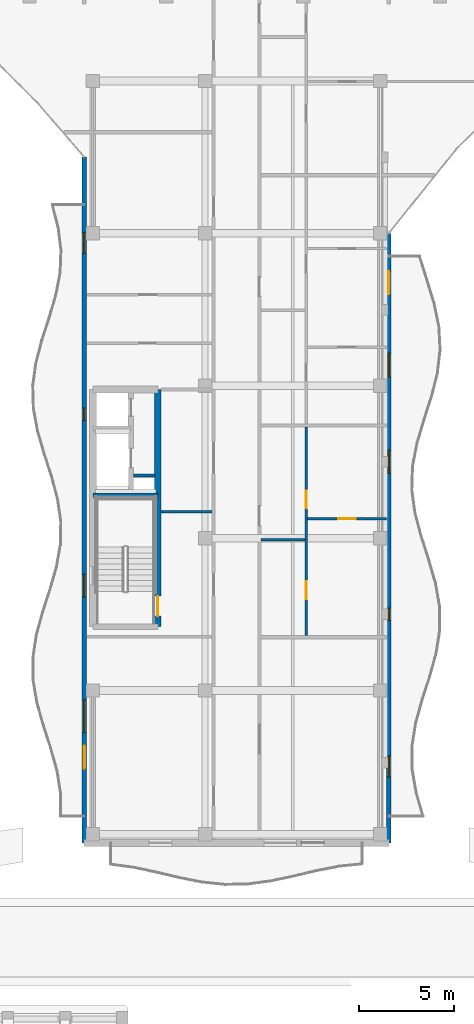
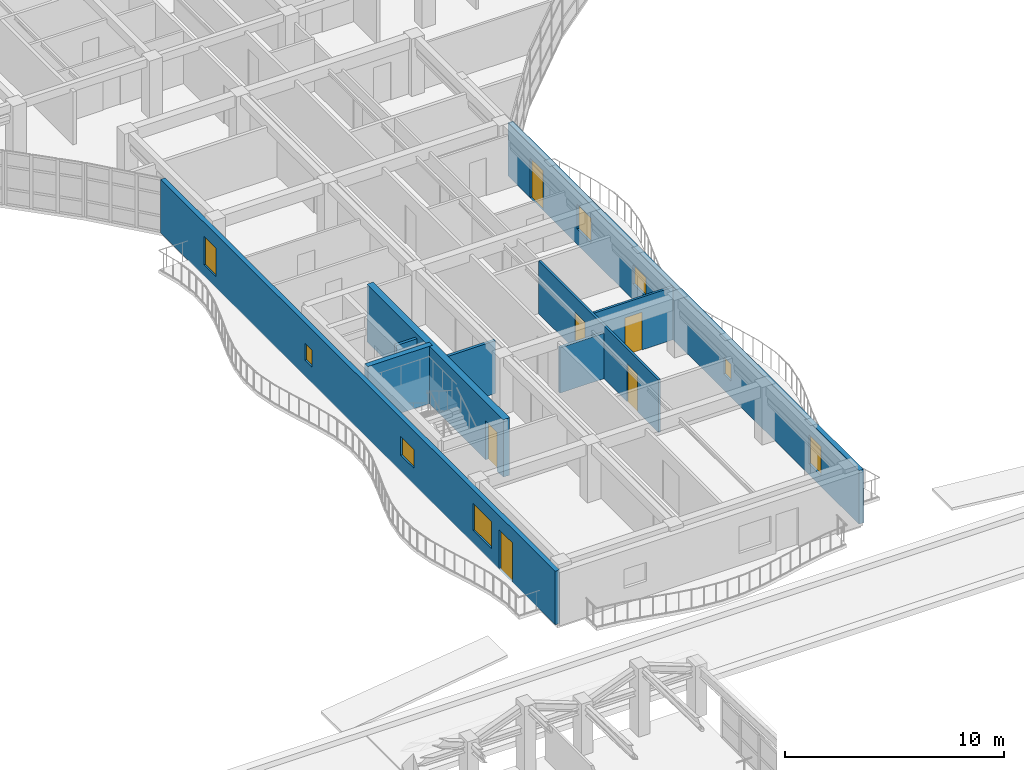
# One storey, part 85 of 128: 9 walls, 8 windows, 6 doors, 14 openings.
"""IFC4 building model written with IfcOpenShell, lengths in metres."""

from ifc_helpers import new_model, si_unit, direction, frame, frame_2d, origin, place, context, subcontext, project, spatial, rectangle, extrude, material, layer, layer_set, type_object, element, fill, save


model = new_model("IFC4")

# Units and contexts
model_context = context("Model", 3, precision=1e-05, world=origin(), true_north=direction((0.0, 1.0)))
body_context = subcontext(model_context, "Body", "Model", "MODEL_VIEW")
ifc_project = project(units=[si_unit("LENGTHUNIT", "METRE"), si_unit("AREAUNIT", "SQUARE_METRE"), si_unit("VOLUMEUNIT", "CUBIC_METRE"), si_unit("PLANEANGLEUNIT", "RADIAN"), si_unit("MASSUNIT", "GRAM", prefix="KILO")], contexts=[model_context])

# Site, building, storey
site_placement = place(None, origin())
site = spatial("IfcSite", under=ifc_project, at=site_placement, CompositionType="ELEMENT")
building_placement = place(site_placement, origin())
building = spatial("IfcBuilding", under=site, at=building_placement, Name="Keldmere Railside Commons", CompositionType="ELEMENT")
storey_placement = place(building_placement, frame((0.0, 0.0, 4.159912109375)))
storey = spatial("IfcBuildingStorey", under=building, at=storey_placement, Name="L01", CompositionType="ELEMENT", Elevation=4.159912109375)

# Wall, openings, doors
ifc_material_1 = material(Name="Acoustic Gypsum Board Partition", Category="gypsum")
ifc_layer_1 = layer(ifc_material_1, 0.1201171875, Name="Apartment Interior Partition 120")
ifc_layer_set_1 = layer_set([ifc_layer_1], Name="Acoustic Gypsum Board Partition")
wall_type_1 = type_object("IfcWallType", Name="Apartment Interior Partition 120", PredefinedType="PARTITIONING", material=ifc_layer_set_1)
wall_1_placement = place(storey_placement, frame((115.659912109375, 66.8798828125, 0.0), z_axis=(0.0, 0.0, 1.0), x_axis=(0.0, 1.0, 0.0)))
wall_1 = element("IfcWall", 1, at=wall_1_placement, inside=storey, type_object=wall_type_1, Name="IW-4 IW-L01-0932", PredefinedType="PARTITIONING", context=body_context, shape_type="SweptSolid", body=[
    extrude(rectangle(XDim=10.940185546875, YDim=0.1201171875, at=frame_2d((5.47021484375, 0.0))), origin(), (0.0, 0.0, 1.0), 2.93505859375),
])
opening_1_placement = place(wall_1_placement, frame((1.911376953125, 0.0, 0.0)))
opening_1 = element("IfcOpeningElement", 2, at=opening_1_placement, cuts=wall_1, Name="Opening ID-05", PredefinedType="OPENING", context=body_context, shape_type="SweptSolid", body=[
    extrude(rectangle(XDim=0.93994140625, YDim=2.10009765625, at=frame_2d((0.469970703125, 1.050048828125))), frame((0.0, 0.070068359375, 0.0), z_axis=(0.0, -1.0, 0.0), x_axis=(1.0, 0.0, 0.0)), (0.0, 0.0, 1.0), 0.14013671875),
])
opening_2_placement = place(wall_1_placement, frame((6.684814453125, 0.0, 0.0)))
opening_2 = element("IfcOpeningElement", 3, at=opening_2_placement, cuts=wall_1, Name="Opening ID-03", PredefinedType="OPENING", context=body_context, shape_type="SweptSolid", body=[
    extrude(rectangle(XDim=0.919921875, YDim=2.10009765625, at=frame_2d((0.4599609375, 1.050048828125))), frame((0.0, 0.070068359375, 0.0), z_axis=(0.0, -1.0, 0.0), x_axis=(1.0, 0.0, 0.0)), (0.0, 0.0, 1.0), 0.14013671875),
])
ifc_material_2 = material(Name="Engineered Oak Timber", Category="wood")
door_type_1 = type_object("IfcDoorType", Name="Accessible Bathroom Door 940x2100", OperationType="NOTDEFINED", PredefinedType="DOOR", material=ifc_material_2)
door_1_placement = place(opening_1_placement, origin())
door_1 = element("IfcDoor", 4, at=door_1_placement, inside=storey, type_object=door_type_1, Name="ID-05 IDR-L01-0800", OperationType="SINGLE_SWING_RIGHT", OverallHeight=2.10009765625, OverallWidth=0.93994140625, PredefinedType="DOOR", context=body_context, shape_type="SweptSolid", body=[
    extrude(rectangle(XDim=0.93994140625, YDim=2.10009765625, at=frame_2d((0.469970703125, 1.050048828125))), frame((0.0, 0.02490234375, 0.0), z_axis=(0.0, -1.0, 0.0), x_axis=(1.0, 0.0, 0.0)), (0.0, 0.0, 1.0), 0.050048828125),
])
fill(opening_1, door_1)
door_type_2 = type_object("IfcDoorType", Name="Kitchen Pocket-Frame Swing Door 920x2100", OperationType="NOTDEFINED", PredefinedType="DOOR", material=ifc_material_2)
door_2_placement = place(opening_2_placement, origin())
door_2 = element("IfcDoor", 5, at=door_2_placement, inside=storey, type_object=door_type_2, Name="ID-03 IDR-L01-0801", OperationType="SINGLE_SWING_LEFT", OverallHeight=2.10009765625, OverallWidth=0.919921875, PredefinedType="DOOR", context=body_context, shape_type="SweptSolid", body=[
    extrude(rectangle(XDim=0.919921875, YDim=2.10009765625, at=frame_2d((0.4599609375, 1.050048828125))), frame((0.0, 0.02490234375, 0.0), z_axis=(0.0, -1.0, 0.0), x_axis=(1.0, 0.0, 0.0)), (0.0, 0.0, 1.0), 0.050048828125),
])
fill(opening_2, door_2)

# Wall, opening, door
wall_2_placement = place(storey_placement, frame((115.719970703125, 73.010009765625, 0.0), z_axis=(0.0, 0.0, 1.0), x_axis=(1.0, 0.0, 0.0)))
wall_2 = element("IfcWall", 6, at=wall_2_placement, inside=storey, type_object=wall_type_1, Name="IW-4 IW-L01-0934", PredefinedType="PARTITIONING", context=body_context, shape_type="SweptSolid", body=[
    extrude(rectangle(XDim=4.159912109375, YDim=0.1201171875, at=frame_2d((2.080078125, 0.0))), origin(), (0.0, 0.0, 1.0), 2.93505859375),
])
opening_3_placement = place(wall_2_placement, frame((1.6298828125, 0.0, 0.0)))
opening_3 = element("IfcOpeningElement", 7, at=opening_3_placement, cuts=wall_2, Name="Opening ID-01", PredefinedType="OPENING", context=body_context, shape_type="SweptSolid", body=[
    extrude(rectangle(XDim=0.89990234375, YDim=2.10009765625, at=frame_2d((0.449951171875, 1.050048828125))), frame((0.0, 0.070068359375, 0.0), z_axis=(0.0, -1.0, 0.0), x_axis=(1.0, 0.0, 0.0)), (0.0, 0.0, 1.0), 0.14013671875),
])
door_type_3 = type_object("IfcDoorType", Name="Primary Bedroom Door 900x2100", OperationType="NOTDEFINED", PredefinedType="DOOR", material=ifc_material_2)
door_3_placement = place(opening_3_placement, origin())
door_3 = element("IfcDoor", 8, at=door_3_placement, inside=storey, type_object=door_type_3, Name="ID-01 IDR-L01-0803", OperationType="SINGLE_SWING_LEFT", OverallHeight=2.10009765625, OverallWidth=0.89990234375, PredefinedType="DOOR", context=body_context, shape_type="SweptSolid", body=[
    extrude(rectangle(XDim=0.89990234375, YDim=2.10009765625, at=frame_2d((0.449951171875, 1.050048828125))), frame((0.0, 0.02490234375, 0.0), z_axis=(0.0, -1.0, 0.0), x_axis=(1.0, 0.0, 0.0)), (0.0, 0.0, 1.0), 0.050048828125),
])
fill(opening_3, door_3)

# Wall
ifc_material_3 = material(Name="Concrete H-35 (C35/45)", Category="concrete")
ifc_layer_2 = layer(ifc_material_3, 0.280029296875, Name="Core Shear Wall 280")
ifc_layer_set_2 = layer_set([ifc_layer_2], Name="Concrete H-35 (C35/45)")
wall_type_2 = type_object("IfcWallType", Name="Core Shear Wall 280", PredefinedType="SHEAR", material=ifc_layer_set_2)
wall_3_placement = place(storey_placement, frame((104.4599609375, 74.239990234375, 0.0), z_axis=(0.0, 0.0, 1.0), x_axis=(1.0, 0.0, 0.0)))
element("IfcWall", 9, at=wall_3_placement, inside=storey, type_object=wall_type_2, Name="CSW-2 COREBM-L01-0448", PredefinedType="SHEAR", context=body_context, shape_type="SweptSolid", body=[
    extrude(rectangle(XDim=3.41015625, YDim=0.280029296875, at=frame_2d((1.705078125, 0.0))), origin(), (0.0, 0.0, 1.0), 3.2001953125),
])

# Wall, opening, door
ifc_layer_3 = layer(ifc_material_3, 0.340087890625, Name="Interior Shear Wall 340")
ifc_layer_set_3 = layer_set([ifc_layer_3], Name="Concrete H-35 (C35/45)")
wall_type_3 = type_object("IfcWallType", Name="Interior Shear Wall 340", PredefinedType="SHEAR", material=ifc_layer_set_3)
wall_4_placement = place(storey_placement, frame((107.8701171875, 79.800048828125, 0.0), z_axis=(0.0, 0.0, 1.0), x_axis=(0.0, -1.0, 0.0)))
wall_4 = element("IfcWall", 10, at=wall_4_placement, inside=storey, type_object=wall_type_3, Name="ISW-1 COREBE-L01-0446", PredefinedType="SHEAR", context=body_context, shape_type="SweptSolid", body=[
    extrude(rectangle(XDim=12.449951171875, YDim=0.340087890625, at=frame_2d((6.22509765625, 0.0))), origin(), (0.0, 0.0, 1.0), 3.2001953125),
])
opening_4_placement = place(wall_4_placement, frame((10.85009765625, 0.0, 0.0)))
opening_4 = element("IfcOpeningElement", 11, at=opening_4_placement, cuts=wall_4, Name="Opening FD-1", PredefinedType="OPENING", context=body_context, shape_type="SweptSolid", body=[
    extrude(rectangle(XDim=1.050048828125, YDim=2.14990234375, at=frame_2d((0.52490234375, 1.074951171875))), frame((0.0, 0.179931640625, 0.0), z_axis=(0.0, -1.0, 0.0), x_axis=(1.0, 0.0, 0.0)), (0.0, 0.0, 1.0), 0.360107421875),
])
ifc_material_4 = material(Name="Steel F-24 (S235)", Category="steel")
door_type_4 = type_object("IfcDoorType", Name="Stair Core Fire Door 1050x2150", OperationType="NOTDEFINED", PredefinedType="DOOR", material=ifc_material_4)
door_4_placement = place(opening_4_placement, origin())
door_4 = element("IfcDoor", 12, at=door_4_placement, inside=storey, type_object=door_type_4, Name="FD-1 B1 L01", OperationType="SINGLE_SWING_LEFT", OverallHeight=2.14990234375, OverallWidth=1.050048828125, PredefinedType="DOOR", context=body_context, shape_type="SweptSolid", body=[
    extrude(rectangle(XDim=1.050048828125, YDim=2.14990234375, at=frame_2d((0.52490234375, 1.074951171875))), frame((0.0, 0.02490234375, 0.0), z_axis=(0.0, -1.0, 0.0), x_axis=(1.0, 0.0, 0.0)), (0.0, 0.0, 1.0), 0.050048828125),
])
fill(opening_4, door_4)

# Walls
ifc_layer_4 = layer(ifc_material_1, 0.14990234375, Name="Lobby Rated Partition 150")
ifc_layer_set_4 = layer_set([ifc_layer_4], Name="Acoustic Gypsum Board Partition")
wall_type_4 = type_object("IfcWallType", Name="Lobby Rated Partition 150", PredefinedType="PARTITIONING", material=ifc_layer_set_4)
wall_5_placement = place(storey_placement, frame((106.60009765625, 75.280029296875, 0.0), z_axis=(0.0, 0.0, 1.0), x_axis=(1.0, 0.0, 0.0)))
element("IfcWall", 13, at=wall_5_placement, inside=storey, type_object=wall_type_4, Name="IW-3 RSRNB-L01-0451", PredefinedType="PARTITIONING", context=body_context, shape_type="SweptSolid", body=[
    extrude(rectangle(XDim=1.1298828125, YDim=0.14990234375, at=frame_2d((0.56494140625, 0.0))), origin(), (0.0, 0.0, 1.0), 2.9501953125),
])
wall_6_placement = place(storey_placement, frame((108.0400390625, 73.3798828125, 0.0), z_axis=(0.0, 0.0, 1.0), x_axis=(1.0, 0.0, 0.0)))
element("IfcWall", 14, at=wall_6_placement, inside=storey, type_object=wall_type_4, Name="IW-3 IW-L01-0918", PredefinedType="PARTITIONING", context=body_context, shape_type="SweptSolid", body=[
    extrude(rectangle(XDim=2.679931640625, YDim=0.14990234375, at=frame_2d((1.33984375, 0.0))), origin(), (0.0, 0.0, 1.0), 2.93505859375),
])

# Wall, openings, windows, door
ifc_material_5 = material(Name="Architectural Precast Concrete H-35 (C35/45)", Category="concrete")
ifc_layer_5 = layer(ifc_material_5, 0.239990234375, Name="Sand-Ochre Precast Cavity Wall 240")
ifc_layer_set_5 = layer_set([ifc_layer_5], Name="Architectural Precast Concrete H-35 (C35/45)")
wall_type_5 = type_object("IfcWallType", Name="Sand-Ochre Precast Cavity Wall 240", PredefinedType="SOLIDWALL", material=ifc_layer_set_5)
wall_7_placement = place(storey_placement, frame((120.0, 88.0, 0.0), z_axis=(0.0, 0.0, 1.0), x_axis=(0.0, -1.0, 0.0)))
wall_7 = element("IfcWall", 15, at=wall_7_placement, inside=storey, type_object=wall_type_5, Name="EW-2 EXTB-L01-0585", PredefinedType="SOLIDWALL", context=body_context, shape_type="SweptSolid", body=[
    extrude(rectangle(XDim=32.0, YDim=0.239990234375, at=frame_2d((16.0, 0.0))), origin(), (0.0, 0.0, 1.0), 2.97998046875),
])
opening_5_placement = place(wall_7_placement, frame((2.0, 0.0, 0.0)))
opening_5 = element("IfcOpeningElement", 16, at=opening_5_placement, cuts=wall_7, Name="Opening BD-01", PredefinedType="OPENING", context=body_context, shape_type="SweptSolid", body=[
    extrude(rectangle(XDim=1.199951171875, YDim=2.199951171875, at=frame_2d((0.60009765625, 1.10009765625))), frame((0.0, 0.1298828125, 0.0), z_axis=(0.0, -1.0, 0.0), x_axis=(1.0, 0.0, 0.0)), (0.0, 0.0, 1.0), 0.260009765625),
])
opening_6_placement = place(wall_7_placement, frame((11.39990234375, 0.0, 0.89990234375)))
opening_6 = element("IfcOpeningElement", 17, at=opening_6_placement, cuts=wall_7, Name="Opening WN-14", PredefinedType="OPENING", context=body_context, shape_type="SweptSolid", body=[
    extrude(rectangle(XDim=1.199951171875, YDim=1.050048828125, at=frame_2d((0.60009765625, 0.52490234375))), frame((0.0, 0.1298828125, 0.0), z_axis=(0.0, -1.0, 0.0), x_axis=(1.0, 0.0, 0.0)), (0.0, 0.0, 1.0), 0.260009765625),
])
opening_7_placement = place(wall_7_placement, frame((19.675048828125, 0.0, 0.89990234375)))
opening_7 = element("IfcOpeningElement", 18, at=opening_7_placement, cuts=wall_7, Name="Opening WN-15", PredefinedType="OPENING", context=body_context, shape_type="SweptSolid", body=[
    extrude(rectangle(XDim=0.64990234375, YDim=0.949951171875, at=frame_2d((0.324951171875, 0.47509765625))), frame((0.0, 0.1298828125, 0.0), z_axis=(0.0, -1.0, 0.0), x_axis=(1.0, 0.0, 0.0)), (0.0, 0.0, 1.0), 0.260009765625),
])
opening_8_placement = place(wall_7_placement, frame((27.449951171875, 0.0, 0.6201171875)))
opening_8 = element("IfcOpeningElement", 19, at=opening_8_placement, cuts=wall_7, Name="Opening WN-16", PredefinedType="OPENING", context=body_context, shape_type="SweptSolid", body=[
    extrude(rectangle(XDim=1.10009765625, YDim=1.60009765625, at=frame_2d((0.550048828125, 0.800048828125))), frame((0.0, 0.1298828125, 0.0), z_axis=(0.0, -1.0, 0.0), x_axis=(1.0, 0.0, 0.0)), (0.0, 0.0, 1.0), 0.260009765625),
])
opening_9_placement = place(wall_7_placement, frame((6.29931640625, 0.0, 0.8701171875)))
opening_9 = element("IfcOpeningElement", 20, at=opening_9_placement, cuts=wall_7, Name="Opening WN-09", PredefinedType="OPENING", context=body_context, shape_type="SweptSolid", body=[
    extrude(rectangle(XDim=1.25, YDim=1.35009765625, at=frame_2d((0.625, 0.675048828125))), frame((0.0, 0.1298828125, 0.0), z_axis=(0.0, -1.0, 0.0), x_axis=(1.0, 0.0, 0.0)), (0.0, 0.0, 1.0), 0.260009765625),
])
ifc_material_6 = material(Name="Low-E Insulated Double Glazing", Category="glass")
window_type_1 = type_object("IfcWindowType", Name="Apartment Kitchen Ribbon Window 1200x1050", PartitioningType="SINGLE_PANEL", PredefinedType="WINDOW", material=ifc_material_6)
window_1_placement = place(opening_6_placement, origin())
window_1 = element("IfcWindow", 21, at=window_1_placement, inside=storey, type_object=window_type_1, Name="WN-14 WIN-L01-0366", OverallHeight=1.050048828125, OverallWidth=1.199951171875, PartitioningType="SINGLE_PANEL", PredefinedType="WINDOW", context=body_context, shape_type="SweptSolid", body=[
    extrude(rectangle(XDim=1.199951171875, YDim=1.050048828125, at=frame_2d((0.60009765625, 0.52490234375))), frame((0.0, 0.030029296875, 0.0), z_axis=(0.0, -1.0, 0.0), x_axis=(1.0, 0.0, 0.0)), (0.0, 0.0, 1.0), 0.06005859375),
])
fill(opening_6, window_1)
ifc_material_7 = material(Name="Thermally Broken Aluminium", Category="aluminium")
door_type_5 = type_object("IfcDoorType", Name="Apartment Living Wave-Balcony Glazed Door 1200x2200", OperationType="NOTDEFINED", PredefinedType="DOOR", material=ifc_material_7)
door_5_placement = place(opening_5_placement, origin())
door_5 = element("IfcDoor", 22, at=door_5_placement, inside=storey, type_object=door_type_5, Name="BD-01 DR-L01-0129", OperationType="SINGLE_SWING_LEFT", OverallHeight=2.199951171875, OverallWidth=1.199951171875, PredefinedType="DOOR", context=body_context, shape_type="SweptSolid", body=[
    extrude(rectangle(XDim=1.199951171875, YDim=2.199951171875, at=frame_2d((0.60009765625, 1.10009765625))), frame((0.0, 0.02490234375, 0.0), z_axis=(0.0, -1.0, 0.0), x_axis=(1.0, 0.0, 0.0)), (0.0, 0.0, 1.0), 0.050048828125),
])
fill(opening_5, door_5)
window_type_2 = type_object("IfcWindowType", Name="Corridor End Daylight Window 1100x1600", PartitioningType="SINGLE_PANEL", PredefinedType="WINDOW", material=ifc_material_6)
window_2_placement = place(opening_8_placement, origin())
window_2 = element("IfcWindow", 23, at=window_2_placement, inside=storey, type_object=window_type_2, Name="WN-16 WIN-L01-0368", OverallHeight=1.60009765625, OverallWidth=1.10009765625, PartitioningType="SINGLE_PANEL", PredefinedType="WINDOW", context=body_context, shape_type="SweptSolid", body=[
    extrude(rectangle(XDim=1.10009765625, YDim=1.60009765625, at=frame_2d((0.550048828125, 0.800048828125))), frame((0.0, 0.030029296875, 0.0), z_axis=(0.0, -1.0, 0.0), x_axis=(1.0, 0.0, 0.0)), (0.0, 0.0, 1.0), 0.06005859375),
])
fill(opening_8, window_2)
window_type_3 = type_object("IfcWindowType", Name="Exterior Bathroom Frosted Window 650x950", PartitioningType="SINGLE_PANEL", PredefinedType="WINDOW", material=ifc_material_6)
window_3_placement = place(opening_7_placement, origin())
window_3 = element("IfcWindow", 24, at=window_3_placement, inside=storey, type_object=window_type_3, Name="WN-15 WIN-L01-0367", OverallHeight=0.949951171875, OverallWidth=0.64990234375, PartitioningType="SINGLE_PANEL", PredefinedType="WINDOW", context=body_context, shape_type="SweptSolid", body=[
    extrude(rectangle(XDim=0.64990234375, YDim=0.949951171875, at=frame_2d((0.324951171875, 0.47509765625))), frame((0.0, 0.030029296875, 0.0), z_axis=(0.0, -1.0, 0.0), x_axis=(1.0, 0.0, 0.0)), (0.0, 0.0, 1.0), 0.06005859375),
])
fill(opening_7, window_3)
window_type_4 = type_object("IfcWindowType", Name="Secondary Bedroom Window 1250x1350", PartitioningType="SINGLE_PANEL", PredefinedType="WINDOW", material=ifc_material_6)
window_4_placement = place(opening_9_placement, origin())
window_4 = element("IfcWindow", 25, at=window_4_placement, inside=storey, type_object=window_type_4, Name="WN-09 WIN-L01-9006", OverallHeight=1.35009765625, OverallWidth=1.25, PartitioningType="SINGLE_PANEL", PredefinedType="WINDOW", context=body_context, shape_type="SweptSolid", body=[
    extrude(rectangle(XDim=1.25, YDim=1.35009765625, at=frame_2d((0.625, 0.675048828125))), frame((0.0, 0.030029296875, 0.0), z_axis=(0.0, -1.0, 0.0), x_axis=(1.0, 0.0, 0.0)), (0.0, 0.0, 1.0), 0.06005859375),
])
fill(opening_9, window_4)

wall_8_placement = place(storey_placement, frame((104.0, 56.0, 0.0), z_axis=(0.0, 0.0, 1.0), x_axis=(0.0, 1.0, 0.0)))
wall_8 = element("IfcWall", 26, at=wall_8_placement, inside=storey, type_object=wall_type_5, Name="EW-2 EXTB-L01-0591", PredefinedType="SOLIDWALL", context=body_context, shape_type="SweptSolid", body=[
    extrude(rectangle(XDim=36.0, YDim=0.239990234375, at=frame_2d((18.0, 0.0))), origin(), (0.0, 0.0, 1.0), 2.97998046875),
])
opening_10_placement = place(wall_8_placement, frame((3.89990234375, 0.0, 0.0)))
opening_10 = element("IfcOpeningElement", 27, at=opening_10_placement, cuts=wall_8, Name="Opening BD-01", PredefinedType="OPENING", context=body_context, shape_type="SweptSolid", body=[
    extrude(rectangle(XDim=1.199951171875, YDim=2.199951171875, at=frame_2d((0.60009765625, 1.10009765625))), frame((0.0, 0.1298828125, 0.0), z_axis=(0.0, -1.0, 0.0), x_axis=(1.0, 0.0, 0.0)), (0.0, 0.0, 1.0), 0.260009765625),
])
opening_11_placement = place(wall_8_placement, frame((5.800048828125, 0.0, 0.719970703125)))
opening_11 = element("IfcOpeningElement", 28, at=opening_11_placement, cuts=wall_8, Name="Opening WN-20", PredefinedType="OPENING", context=body_context, shape_type="SweptSolid", body=[
    extrude(rectangle(XDim=1.699951171875, YDim=1.5, at=frame_2d((0.85009765625, 0.75))), frame((0.0, 0.1298828125, 0.0), z_axis=(0.0, -1.0, 0.0), x_axis=(1.0, 0.0, 0.0)), (0.0, 0.0, 1.0), 0.260009765625),
])
opening_12_placement = place(wall_8_placement, frame((12.89990234375, 0.0, 0.89990234375)))
opening_12 = element("IfcOpeningElement", 29, at=opening_12_placement, cuts=wall_8, Name="Opening WN-14", PredefinedType="OPENING", context=body_context, shape_type="SweptSolid", body=[
    extrude(rectangle(XDim=1.199951171875, YDim=1.050048828125, at=frame_2d((0.60009765625, 0.52490234375))), frame((0.0, 0.1298828125, 0.0), z_axis=(0.0, -1.0, 0.0), x_axis=(1.0, 0.0, 0.0)), (0.0, 0.0, 1.0), 0.260009765625),
])
opening_13_placement = place(wall_8_placement, frame((22.175048828125, 0.0, 0.89990234375)))
opening_13 = element("IfcOpeningElement", 30, at=opening_13_placement, cuts=wall_8, Name="Opening WN-15", PredefinedType="OPENING", context=body_context, shape_type="SweptSolid", body=[
    extrude(rectangle(XDim=0.64990234375, YDim=0.949951171875, at=frame_2d((0.324951171875, 0.47509765625))), frame((0.0, 0.1298828125, 0.0), z_axis=(0.0, -1.0, 0.0), x_axis=(1.0, 0.0, 0.0)), (0.0, 0.0, 1.0), 0.260009765625),
])
opening_14_placement = place(wall_8_placement, frame((30.949951171875, 0.0, 0.6201171875)))
opening_14 = element("IfcOpeningElement", 31, at=opening_14_placement, cuts=wall_8, Name="Opening WN-16", PredefinedType="OPENING", context=body_context, shape_type="SweptSolid", body=[
    extrude(rectangle(XDim=1.10009765625, YDim=1.60009765625, at=frame_2d((0.550048828125, 0.800048828125))), frame((0.0, 0.1298828125, 0.0), z_axis=(0.0, -1.0, 0.0), x_axis=(1.0, 0.0, 0.0)), (0.0, 0.0, 1.0), 0.260009765625),
])
window_5_placement = place(opening_12_placement, origin())
window_5 = element("IfcWindow", 32, at=window_5_placement, inside=storey, type_object=window_type_1, Name="WN-14 WIN-L01-0379", OverallHeight=1.050048828125, OverallWidth=1.199951171875, PartitioningType="SINGLE_PANEL", PredefinedType="WINDOW", context=body_context, shape_type="SweptSolid", body=[
    extrude(rectangle(XDim=1.199951171875, YDim=1.050048828125, at=frame_2d((0.60009765625, 0.52490234375))), frame((0.0, 0.030029296875, 0.0), z_axis=(0.0, -1.0, 0.0), x_axis=(1.0, 0.0, 0.0)), (0.0, 0.0, 1.0), 0.06005859375),
])
fill(opening_12, window_5)
door_6_placement = place(opening_10_placement, origin())
door_6 = element("IfcDoor", 33, at=door_6_placement, inside=storey, type_object=door_type_5, Name="BD-01 DR-L01-0135", OperationType="SINGLE_SWING_LEFT", OverallHeight=2.199951171875, OverallWidth=1.199951171875, PredefinedType="DOOR", context=body_context, shape_type="SweptSolid", body=[
    extrude(rectangle(XDim=1.199951171875, YDim=2.199951171875, at=frame_2d((0.60009765625, 1.10009765625))), frame((0.0, 0.02490234375, 0.0), z_axis=(0.0, -1.0, 0.0), x_axis=(1.0, 0.0, 0.0)), (0.0, 0.0, 1.0), 0.050048828125),
])
fill(opening_10, door_6)
window_6_placement = place(opening_14_placement, origin())
window_6 = element("IfcWindow", 34, at=window_6_placement, inside=storey, type_object=window_type_2, Name="WN-16 WIN-L01-0381", OverallHeight=1.60009765625, OverallWidth=1.10009765625, PartitioningType="SINGLE_PANEL", PredefinedType="WINDOW", context=body_context, shape_type="SweptSolid", body=[
    extrude(rectangle(XDim=1.10009765625, YDim=1.60009765625, at=frame_2d((0.550048828125, 0.800048828125))), frame((0.0, 0.030029296875, 0.0), z_axis=(0.0, -1.0, 0.0), x_axis=(1.0, 0.0, 0.0)), (0.0, 0.0, 1.0), 0.06005859375),
])
fill(opening_14, window_6)
window_7_placement = place(opening_13_placement, origin())
window_7 = element("IfcWindow", 35, at=window_7_placement, inside=storey, type_object=window_type_3, Name="WN-15 WIN-L01-0380", OverallHeight=0.949951171875, OverallWidth=0.64990234375, PartitioningType="SINGLE_PANEL", PredefinedType="WINDOW", context=body_context, shape_type="SweptSolid", body=[
    extrude(rectangle(XDim=0.64990234375, YDim=0.949951171875, at=frame_2d((0.324951171875, 0.47509765625))), frame((0.0, 0.030029296875, 0.0), z_axis=(0.0, -1.0, 0.0), x_axis=(1.0, 0.0, 0.0)), (0.0, 0.0, 1.0), 0.06005859375),
])
fill(opening_13, window_7)
window_type_5 = type_object("IfcWindowType", Name="Study Room Quiet Casement Window 1700x1500", PartitioningType="SINGLE_PANEL", PredefinedType="WINDOW", material=ifc_material_6)
window_8_placement = place(opening_11_placement, origin())
window_8 = element("IfcWindow", 36, at=window_8_placement, inside=storey, type_object=window_type_5, Name="WN-20 WIN-L01-0378", OverallHeight=1.5, OverallWidth=1.699951171875, PartitioningType="SINGLE_PANEL", PredefinedType="WINDOW", context=body_context, shape_type="SweptSolid", body=[
    extrude(rectangle(XDim=1.699951171875, YDim=1.5, at=frame_2d((0.85009765625, 0.75))), frame((0.0, 0.030029296875, 0.0), z_axis=(0.0, -1.0, 0.0), x_axis=(1.0, 0.0, 0.0)), (0.0, 0.0, 1.0), 0.06005859375),
])
fill(opening_11, window_8)

# Wall
ifc_layer_6 = layer(ifc_material_1, 0.139892578125, Name="Wet-Room Sanitary Partition 140")
ifc_layer_set_6 = layer_set([ifc_layer_6], Name="Acoustic Gypsum Board Partition")
wall_type_6 = type_object("IfcWallType", Name="Wet-Room Sanitary Partition 140", PredefinedType="PARTITIONING", material=ifc_layer_set_6)
wall_9_placement = place(storey_placement, frame((113.280029296875, 71.909912109375, 0.0), z_axis=(0.0, 0.0, 1.0), x_axis=(1.0, 0.0, 0.0)))
element("IfcWall", 37, at=wall_9_placement, inside=storey, type_object=wall_type_6, Name="IW-5 IW-L01-0933", PredefinedType="PARTITIONING", context=body_context, shape_type="SweptSolid", body=[
    extrude(rectangle(XDim=2.320068359375, YDim=0.139892578125, at=frame_2d((1.16015625, 0.0))), origin(), (0.0, 0.0, 1.0), 2.530029296875),
])

save(model, "model.ifc")
